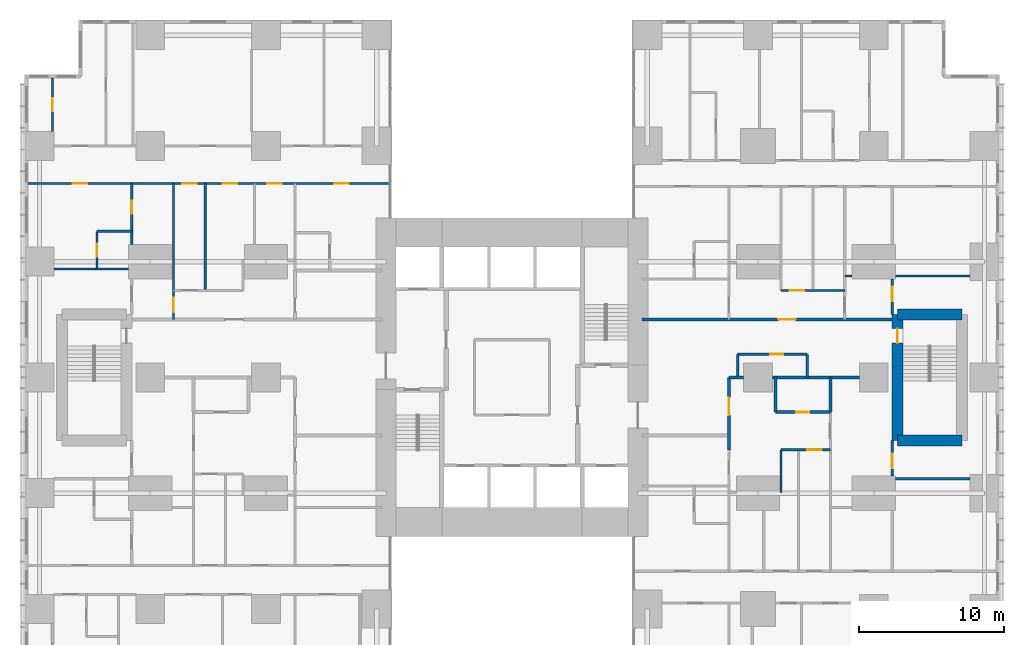
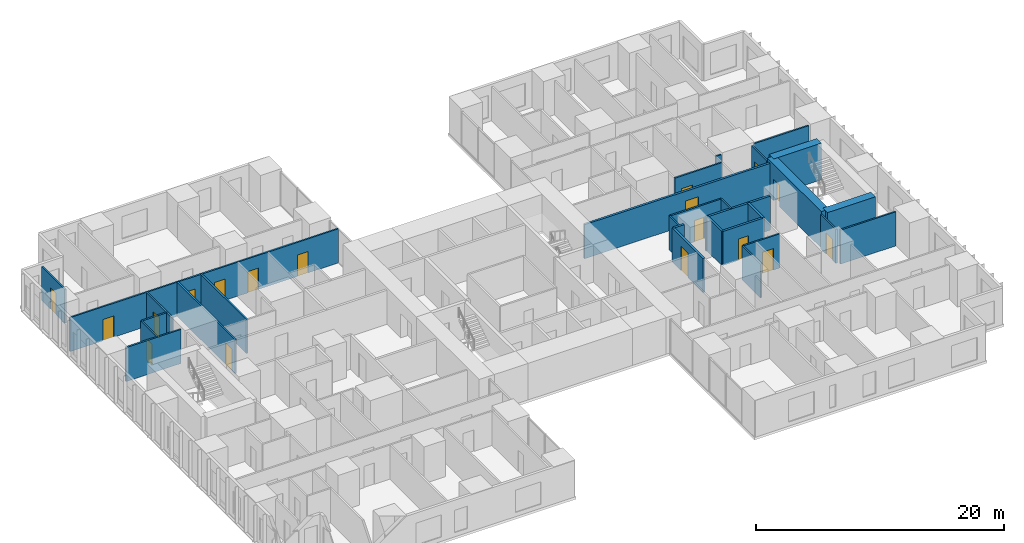
# One storey, part 16 of 20: 29 walls, 18 doors, 18 openings.
"""IFC4 building model written with IfcOpenShell, lengths in metres."""

from ifc_helpers import new_model, si_unit, direction, frame, frame_2d, origin, place, context, subcontext, project, spatial, rectangle, extrude, material, layer, layer_set, type_object, element, fill, save


model = new_model("IFC4")

# Units and contexts
model_context = context("Model", 3, precision=1e-05, world=origin(), true_north=direction((0.0, 1.0)))
body_context = subcontext(model_context, "Body", "Model", "MODEL_VIEW")
ifc_project = project(units=[si_unit("LENGTHUNIT", "METRE"), si_unit("AREAUNIT", "SQUARE_METRE"), si_unit("VOLUMEUNIT", "CUBIC_METRE"), si_unit("PLANEANGLEUNIT", "RADIAN"), si_unit("MASSUNIT", "GRAM", prefix="KILO")], contexts=[model_context])

# Site, building, storey
site_placement = place(None, origin())
site = spatial("IfcSite", under=ifc_project, at=site_placement, CompositionType="ELEMENT")
building_placement = place(site_placement, origin())
building = spatial("IfcBuilding", under=site, at=building_placement, Name="Cleftline Residences", CompositionType="ELEMENT")
storey_placement = place(building_placement, frame((0.0, 0.0, 150.199951171875)))
storey = spatial("IfcBuildingStorey", under=building, at=storey_placement, Name="L39", CompositionType="ELEMENT", Elevation=150.199951171875)

# Wall, opening, door
ifc_material_1 = material(Name="Concrete blockwork, fire rated", Category="masonry")
ifc_layer_1 = layer(ifc_material_1, 0.199951171875)
ifc_layer_set_1 = layer_set([ifc_layer_1], Name="FIRE WALL 200")
wall_type_1 = type_object("IfcWallType", Name="FIRE WALL 200", PredefinedType="PARTITIONING", material=ifc_layer_set_1)
wall_1_placement = place(storey_placement, frame((51.199951171875, 21.60009765625, 0.0), z_axis=(0.0, 0.0, 1.0), x_axis=(1.0, 0.0, 0.0)))
wall_1 = element("IfcWall", 1, at=wall_1_placement, inside=storey, type_object=wall_type_1, Name="Fire separating wall", PredefinedType="PARTITIONING", context=body_context, shape_type="SweptSolid", body=[
    extrude(rectangle(XDim=3.800048828125, YDim=0.199951171875, at=frame_2d((1.89990234375, 0.0))), origin(), (0.0, 0.0, 1.0), 3.35009765625),
])
opening_1_placement = place(wall_1_placement, frame((1.449951171875, 0.0, 0.0)))
opening_1 = element("IfcOpeningElement", 2, at=opening_1_placement, cuts=wall_1, Name="Opening D1F30", PredefinedType="OPENING", context=body_context, shape_type="SweptSolid", body=[
    extrude(rectangle(XDim=0.89990234375, YDim=2.10009765625, at=frame_2d((0.449951171875, 1.050048828125))), frame((0.0, 0.10986328125, 0.0), z_axis=(0.0, -1.0, 0.0), x_axis=(1.0, 0.0, 0.0)), (0.0, 0.0, 1.0), 0.219970703125),
])
ifc_material_2 = material(Name="Timber veneer on solid core", Category="wood")
door_type_1 = type_object("IfcDoorType", Name="DOOR 900X2100 EI 30", OperationType="SINGLE_SWING_LEFT", PredefinedType="DOOR", material=ifc_material_2)
door_1_placement = place(opening_1_placement, origin())
door_1 = element("IfcDoor", 3, at=door_1_placement, inside=storey, type_object=door_type_1, Name="Door to cloakroom wc", OperationType="SINGLE_SWING_LEFT", OverallHeight=2.10009765625, OverallWidth=0.89990234375, PredefinedType="DOOR", context=body_context, shape_type="SweptSolid", body=[
    extrude(rectangle(XDim=0.89990234375, YDim=2.10009765625, at=frame_2d((0.449951171875, 1.050048828125))), frame((0.0, 0.02490234375, 0.0), z_axis=(0.0, -1.0, 0.0), x_axis=(1.0, 0.0, 0.0)), (0.0, 0.0, 1.0), 0.050048828125),
])
fill(opening_1, door_1)

# Walls
wall_2_placement = place(storey_placement, frame((48.0, 24.0, 0.0), z_axis=(0.0, 0.0, 1.0), x_axis=(1.0, 0.0, 0.0)))
element("IfcWall", 4, at=wall_2_placement, inside=storey, type_object=wall_type_1, Name="Fire separating wall", PredefinedType="PARTITIONING", context=body_context, shape_type="SweptSolid", body=[
    extrude(rectangle(XDim=1.0, YDim=0.199951171875, at=frame_2d((0.5, 0.0))), origin(), (0.0, 0.0, 1.0), 3.35009765625),
])
wall_3_placement = place(storey_placement, frame((51.0, 24.0, 0.0), z_axis=(0.0, 0.0, 1.0), x_axis=(1.0, 0.0, 0.0)))
element("IfcWall", 5, at=wall_3_placement, inside=storey, type_object=wall_type_1, Name="Fire separating wall", PredefinedType="PARTITIONING", context=body_context, shape_type="SweptSolid", body=[
    extrude(rectangle(XDim=6.0, YDim=0.199951171875, at=frame_2d((3.0, 0.0))), origin(), (0.0, 0.0, 1.0), 3.35009765625),
])

# Wall, opening, door
wall_4_placement = place(storey_placement, frame((42.0, 28.0, 0.0), z_axis=(0.0, 0.0, 1.0), x_axis=(1.0, 0.0, 0.0)))
wall_4 = element("IfcWall", 6, at=wall_4_placement, inside=storey, type_object=wall_type_1, Name="Fire separating wall", PredefinedType="PARTITIONING", context=body_context, shape_type="SweptSolid", body=[
    extrude(rectangle(XDim=17.27490234375, YDim=0.199951171875, at=frame_2d((8.637451171875, 0.0))), origin(), (0.0, 0.0, 1.0), 3.35009765625),
])
opening_2_placement = place(wall_4_placement, frame((9.39990234375, 0.0, 0.0)))
opening_2 = element("IfcOpeningElement", 7, at=opening_2_placement, cuts=wall_4, Name="Opening D4", PredefinedType="OPENING", context=body_context, shape_type="SweptSolid", body=[
    extrude(rectangle(XDim=1.199951171875, YDim=2.39990234375, at=frame_2d((0.60009765625, 1.199951171875))), frame((0.0, 0.10986328125, 0.0), z_axis=(0.0, -1.0, 0.0), x_axis=(1.0, 0.0, 0.0)), (0.0, 0.0, 1.0), 0.219970703125),
])
ifc_material_3 = material(Name="Timber veneer on solid core", Category="wood")
door_type_2 = type_object("IfcDoorType", Name="APARTMENT ENTRANCE DOOR 1200X2400", OperationType="SINGLE_SWING_RIGHT", PredefinedType="DOOR", material=ifc_material_3)
door_2_placement = place(opening_2_placement, origin())
door_2 = element("IfcDoor", 8, at=door_2_placement, inside=storey, type_object=door_type_2, Name="Door to residence entrance (gallery)", OperationType="SINGLE_SWING_LEFT", OverallHeight=2.39990234375, OverallWidth=1.199951171875, PredefinedType="DOOR", context=body_context, shape_type="SweptSolid", body=[
    extrude(rectangle(XDim=1.199951171875, YDim=2.39990234375, at=frame_2d((0.60009765625, 1.199951171875))), frame((0.0, 0.02490234375, 0.0), z_axis=(0.0, -1.0, 0.0), x_axis=(1.0, 0.0, 0.0)), (0.0, 0.0, 1.0), 0.050048828125),
])
fill(opening_2, door_2)

wall_5_placement = place(storey_placement, frame((48.0, 19.0, 0.0), z_axis=(0.0, 0.0, 1.0), x_axis=(0.0, 1.0, 0.0)))
wall_5 = element("IfcWall", 9, at=wall_5_placement, inside=storey, type_object=wall_type_1, Name="Fire separating wall", PredefinedType="PARTITIONING", context=body_context, shape_type="SweptSolid", body=[
    extrude(rectangle(XDim=5.0, YDim=0.199951171875, at=frame_2d((2.5, 0.0))), origin(), (0.0, 0.0, 1.0), 3.35009765625),
])
opening_3_placement = place(wall_5_placement, frame((2.39990234375, 0.0, 0.0)))
opening_3 = element("IfcOpeningElement", 10, at=opening_3_placement, cuts=wall_5, Name="Opening D4", PredefinedType="OPENING", context=body_context, shape_type="SweptSolid", body=[
    extrude(rectangle(XDim=1.199951171875, YDim=2.39990234375, at=frame_2d((0.60009765625, 1.199951171875))), frame((0.0, 0.10986328125, 0.0), z_axis=(0.0, -1.0, 0.0), x_axis=(1.0, 0.0, 0.0)), (0.0, 0.0, 1.0), 0.219970703125),
])
door_3_placement = place(opening_3_placement, origin())
door_3 = element("IfcDoor", 11, at=door_3_placement, inside=storey, type_object=door_type_2, Name="Door to residence entrance foyer", OperationType="SINGLE_SWING_LEFT", OverallHeight=2.39990234375, OverallWidth=1.199951171875, PredefinedType="DOOR", context=body_context, shape_type="SweptSolid", body=[
    extrude(rectangle(XDim=1.199951171875, YDim=2.39990234375, at=frame_2d((0.60009765625, 1.199951171875))), frame((0.0, 0.02490234375, 0.0), z_axis=(0.0, -1.0, 0.0), x_axis=(1.0, 0.0, 0.0)), (0.0, 0.0, 1.0), 0.050048828125),
])
fill(opening_3, door_3)

# Walls
for number, where, z_axis, x_axis, name in (
    (12, (51.199951171875, 21.60009765625, 0.0), (0.0, 0.0, 1.0), (0.0, 1.0, 0.0), "Fire separating wall"),
    (13, (55.0, 21.60009765625, 0.0), (0.0, 0.0, 1.0), (0.0, 1.0, 0.0), "Fire separating wall"),
):
    element("IfcWall", number, at=place(storey_placement, frame(where, z_axis=z_axis, x_axis=x_axis)), inside=storey, type_object=wall_type_1, Name=name, PredefinedType="PARTITIONING", context=body_context, shape_type="SweptSolid", body=[
        extrude(rectangle(XDim=2.39990234375, YDim=0.199951171875, at=frame_2d((1.199951171875, 0.0))), origin(), (0.0, 0.0, 1.0), 3.35009765625),
    ])
ifc_material_4 = material(Name="Gypsum board on steel studs", Category="steel")
ifc_layer_2 = layer(ifc_material_4, 0.14990234375)
ifc_layer_set_2 = layer_set([ifc_layer_2], Name="PARTITION 150")
wall_type_2 = type_object("IfcWallType", Name="PARTITION 150", PredefinedType="PARTITIONING", material=ifc_layer_set_2)
wall_6_placement = place(storey_placement, frame((59.5, 17.0, 0.0), z_axis=(0.0, 0.0, 1.0), x_axis=(1.0, 0.0, 0.0)))
element("IfcWall", 14, at=wall_6_placement, inside=storey, type_object=wall_type_2, Name="Partition", PredefinedType="PARTITIONING", context=body_context, shape_type="SweptSolid", body=[
    extrude(rectangle(XDim=5.14990234375, YDim=0.14990234375, at=frame_2d((2.574951171875, 0.0))), origin(), (0.0, 0.0, 1.0), 3.35009765625),
])

# Wall, opening, door
wall_7_placement = place(storey_placement, frame((51.60009765625, 19.0, 0.0), z_axis=(0.0, 0.0, 1.0), x_axis=(1.0, 0.0, 0.0)))
wall_7 = element("IfcWall", 15, at=wall_7_placement, inside=storey, type_object=wall_type_2, Name="Partition", PredefinedType="PARTITIONING", context=body_context, shape_type="SweptSolid", body=[
    extrude(rectangle(XDim=3.39990234375, YDim=0.14990234375, at=frame_2d((1.699951171875, 0.0))), origin(), (0.0, 0.0, 1.0), 3.35009765625),
])
opening_4_placement = place(wall_7_placement, frame((1.800048828125, 0.0, 0.0)))
opening_4 = element("IfcOpeningElement", 16, at=opening_4_placement, cuts=wall_7, Name="Opening D2", PredefinedType="OPENING", context=body_context, shape_type="SweptSolid", body=[
    extrude(rectangle(XDim=1.0, YDim=2.10009765625, at=frame_2d((0.5, 1.050048828125))), frame((0.0, 0.0849609375, 0.0), z_axis=(0.0, -1.0, 0.0), x_axis=(1.0, 0.0, 0.0)), (0.0, 0.0, 1.0), 0.169921875),
])
ifc_material_5 = material(Name="Timber veneer on solid core", Category="wood")
door_type_3 = type_object("IfcDoorType", Name="DOOR 1000X2100", OperationType="SINGLE_SWING_LEFT", PredefinedType="DOOR", material=ifc_material_5)
door_4_placement = place(opening_4_placement, origin())
door_4 = element("IfcDoor", 17, at=door_4_placement, inside=storey, type_object=door_type_3, Name="Door to residence passage", OperationType="SINGLE_SWING_LEFT", OverallHeight=2.10009765625, OverallWidth=1.0, PredefinedType="DOOR", context=body_context, shape_type="SweptSolid", body=[
    extrude(rectangle(XDim=1.0, YDim=2.10009765625, at=frame_2d((0.5, 1.050048828125))), frame((0.0, 0.02490234375, 0.0), z_axis=(0.0, -1.0, 0.0), x_axis=(1.0, 0.0, 0.0)), (0.0, 0.0, 1.0), 0.050048828125),
])
fill(opening_4, door_4)

wall_8_placement = place(storey_placement, frame((48.60009765625, 25.60009765625, 0.0), z_axis=(0.0, 0.0, 1.0), x_axis=(1.0, 0.0, 0.0)))
wall_8 = element("IfcWall", 18, at=wall_8_placement, inside=storey, type_object=wall_type_2, Name="Partition", PredefinedType="PARTITIONING", context=body_context, shape_type="SweptSolid", body=[
    extrude(rectangle(XDim=4.7998046875, YDim=0.14990234375, at=frame_2d((2.39990234375, 0.0))), origin(), (0.0, 0.0, 1.0), 3.35009765625),
])
opening_5_placement = place(wall_8_placement, frame((2.25, 0.0, 0.0)))
opening_5 = element("IfcOpeningElement", 19, at=opening_5_placement, cuts=wall_8, Name="Opening D1", PredefinedType="OPENING", context=body_context, shape_type="SweptSolid", body=[
    extrude(rectangle(XDim=0.89990234375, YDim=2.10009765625, at=frame_2d((0.449951171875, 1.050048828125))), frame((0.0, 0.0849609375, 0.0), z_axis=(0.0, -1.0, 0.0), x_axis=(1.0, 0.0, 0.0)), (0.0, 0.0, 1.0), 0.169921875),
])
ifc_material_6 = material(Name="Timber veneer on solid core", Category="wood")
door_type_4 = type_object("IfcDoorType", Name="DOOR 900X2100", OperationType="SINGLE_SWING_LEFT", PredefinedType="DOOR", material=ifc_material_6)
door_5_placement = place(opening_5_placement, origin())
door_5 = element("IfcDoor", 20, at=door_5_placement, inside=storey, type_object=door_type_4, Name="Door to bulky waste room", OperationType="SINGLE_SWING_LEFT", OverallHeight=2.10009765625, OverallWidth=0.89990234375, PredefinedType="DOOR", context=body_context, shape_type="SweptSolid", body=[
    extrude(rectangle(XDim=0.89990234375, YDim=2.10009765625, at=frame_2d((0.449951171875, 1.050048828125))), frame((0.0, 0.02490234375, 0.0), z_axis=(0.0, -1.0, 0.0), x_axis=(1.0, 0.0, 0.0)), (0.0, 0.0, 1.0), 0.050048828125),
])
fill(opening_5, door_5)

wall_9_placement = place(storey_placement, frame((51.60009765625, 30.0, 0.0), z_axis=(0.0, 0.0, 1.0), x_axis=(1.0, 0.0, 0.0)))
wall_9 = element("IfcWall", 21, at=wall_9_placement, inside=storey, type_object=wall_type_2, Name="Partition", PredefinedType="PARTITIONING", context=body_context, shape_type="SweptSolid", body=[
    extrude(rectangle(XDim=4.39990234375, YDim=0.14990234375, at=frame_2d((2.199951171875, 0.0))), origin(), (0.0, 0.0, 1.0), 3.35009765625),
])
opening_6_placement = place(wall_9_placement, frame((0.60009765625, 0.0, 0.0)))
opening_6 = element("IfcOpeningElement", 22, at=opening_6_placement, cuts=wall_9, Name="Opening D2", PredefinedType="OPENING", context=body_context, shape_type="SweptSolid", body=[
    extrude(rectangle(XDim=1.0, YDim=2.10009765625, at=frame_2d((0.5, 1.050048828125))), frame((0.0, 0.0849609375, 0.0), z_axis=(0.0, -1.0, 0.0), x_axis=(1.0, 0.0, 0.0)), (0.0, 0.0, 1.0), 0.169921875),
])
door_6_placement = place(opening_6_placement, origin())
door_6 = element("IfcDoor", 23, at=door_6_placement, inside=storey, type_object=door_type_3, Name="Door to residence passage", OperationType="SINGLE_SWING_RIGHT", OverallHeight=2.10009765625, OverallWidth=1.0, PredefinedType="DOOR", context=body_context, shape_type="SweptSolid", body=[
    extrude(rectangle(XDim=1.0, YDim=2.10009765625, at=frame_2d((0.5, 1.050048828125))), frame((0.0, 0.02490234375, 0.0), z_axis=(0.0, -1.0, 0.0), x_axis=(1.0, 0.0, 0.0)), (0.0, 0.0, 1.0), 0.050048828125),
])
fill(opening_6, door_6)

# Walls
wall_10_placement = place(storey_placement, frame((56.0, 31.0, 0.0), z_axis=(0.0, 0.0, 1.0), x_axis=(1.0, 0.0, 0.0)))
element("IfcWall", 24, at=wall_10_placement, inside=storey, type_object=wall_type_2, Name="Partition", PredefinedType="PARTITIONING", context=body_context, shape_type="SweptSolid", body=[
    extrude(rectangle(XDim=0.5, YDim=0.14990234375, at=frame_2d((0.25, 0.0))), origin(), (0.0, 0.0, 1.0), 3.35009765625),
])
for number, where, z_axis, x_axis, name in (
    (25, (59.5, 31.0, 0.0), (0.0, 0.0, 1.0), (1.0, 0.0, 0.0), "Partition"),
    (26, (1.35009765625, 31.5, 0.0), (0.0, 0.0, 1.0), (1.0, 0.0, 0.0), "Partition"),
):
    element("IfcWall", number, at=place(storey_placement, frame(where, z_axis=z_axis, x_axis=x_axis)), inside=storey, type_object=wall_type_2, Name=name, PredefinedType="PARTITIONING", context=body_context, shape_type="SweptSolid", body=[
        extrude(rectangle(XDim=5.14990234375, YDim=0.14990234375, at=frame_2d((2.574951171875, 0.0))), origin(), (0.0, 0.0, 1.0), 3.35009765625),
    ])
wall_11_placement = place(storey_placement, frame((4.324951171875, 34.10009765625, 0.0), z_axis=(0.0, 0.0, 1.0), x_axis=(1.0, 0.0, 0.0)))
element("IfcWall", 27, at=wall_11_placement, inside=storey, type_object=wall_type_2, Name="Partition", PredefinedType="PARTITIONING", context=body_context, shape_type="SweptSolid", body=[
    extrude(rectangle(XDim=2.400146484375, YDim=0.14990234375, at=frame_2d((1.2001953125, 0.0))), origin(), (0.0, 0.0, 1.0), 3.35009765625),
])

# Wall, openings, doors
wall_12_placement = place(storey_placement, frame((-0.449951171875, 37.39990234375, 0.0), z_axis=(0.0, 0.0, 1.0), x_axis=(1.0, 0.0, 0.0)))
wall_12 = element("IfcWall", 28, at=wall_12_placement, inside=storey, type_object=wall_type_2, Name="Partition", PredefinedType="PARTITIONING", context=body_context, shape_type="SweptSolid", body=[
    extrude(rectangle(XDim=25.010986328125, YDim=0.14990234375, at=frame_2d((12.50537109375, 0.0))), origin(), (0.0, 0.0, 1.0), 3.35009765625),
])
opening_7_placement = place(wall_12_placement, frame((10.64990234375, 0.0, 0.0)))
opening_7 = element("IfcOpeningElement", 29, at=opening_7_placement, cuts=wall_12, Name="Opening D2", PredefinedType="OPENING", context=body_context, shape_type="SweptSolid", body=[
    extrude(rectangle(XDim=1.0, YDim=2.10009765625, at=frame_2d((0.5, 1.050048828125))), frame((0.0, 0.0849609375, 0.0), z_axis=(0.0, -1.0, 0.0), x_axis=(1.0, 0.0, 0.0)), (0.0, 0.0, 1.0), 0.169921875),
])
opening_8_placement = place(wall_12_placement, frame((3.08740234375, 0.0, 0.0)))
opening_8 = element("IfcOpeningElement", 30, at=opening_8_placement, cuts=wall_12, Name="Opening D2", PredefinedType="OPENING", context=body_context, shape_type="SweptSolid", body=[
    extrude(rectangle(XDim=1.0, YDim=2.10009765625, at=frame_2d((0.5, 1.050048828125))), frame((0.0, 0.0849609375, 0.0), z_axis=(0.0, -1.0, 0.0), x_axis=(1.0, 0.0, 0.0)), (0.0, 0.0, 1.0), 0.169921875),
])
opening_9_placement = place(wall_12_placement, frame((13.449951171875, 0.0, 0.0)))
opening_9 = element("IfcOpeningElement", 31, at=opening_9_placement, cuts=wall_12, Name="Opening D2", PredefinedType="OPENING", context=body_context, shape_type="SweptSolid", body=[
    extrude(rectangle(XDim=1.0, YDim=2.10009765625, at=frame_2d((0.5, 1.050048828125))), frame((0.0, 0.0849609375, 0.0), z_axis=(0.0, -1.0, 0.0), x_axis=(1.0, 0.0, 0.0)), (0.0, 0.0, 1.0), 0.169921875),
])
opening_10_placement = place(wall_12_placement, frame((16.550048828125, 0.0, 0.0)))
opening_10 = element("IfcOpeningElement", 32, at=opening_10_placement, cuts=wall_12, Name="Opening D2", PredefinedType="OPENING", context=body_context, shape_type="SweptSolid", body=[
    extrude(rectangle(XDim=1.0, YDim=2.10009765625, at=frame_2d((0.5, 1.050048828125))), frame((0.0, 0.0849609375, 0.0), z_axis=(0.0, -1.0, 0.0), x_axis=(1.0, 0.0, 0.0)), (0.0, 0.0, 1.0), 0.169921875),
])
opening_11_placement = place(wall_12_placement, frame((21.175048828125, 0.0, 0.0)))
opening_11 = element("IfcOpeningElement", 33, at=opening_11_placement, cuts=wall_12, Name="Opening D2", PredefinedType="OPENING", context=body_context, shape_type="SweptSolid", body=[
    extrude(rectangle(XDim=1.0, YDim=2.10009765625, at=frame_2d((0.5, 1.050048828125))), frame((0.0, 0.0849609375, 0.0), z_axis=(0.0, -1.0, 0.0), x_axis=(1.0, 0.0, 0.0)), (0.0, 0.0, 1.0), 0.169921875),
])
door_7_placement = place(opening_7_placement, origin())
door_7 = element("IfcDoor", 34, at=door_7_placement, inside=storey, type_object=door_type_3, Name="Door to residence hall", OperationType="SINGLE_SWING_RIGHT", OverallHeight=2.10009765625, OverallWidth=1.0, PredefinedType="DOOR", context=body_context, shape_type="SweptSolid", body=[
    extrude(rectangle(XDim=1.0, YDim=2.10009765625, at=frame_2d((0.5, 1.050048828125))), frame((0.0, 0.02490234375, 0.0), z_axis=(0.0, -1.0, 0.0), x_axis=(1.0, 0.0, 0.0)), (0.0, 0.0, 1.0), 0.050048828125),
])
fill(opening_7, door_7)
door_8_placement = place(opening_8_placement, origin())
door_8 = element("IfcDoor", 35, at=door_8_placement, inside=storey, type_object=door_type_3, Name="Door to master bedroom", OperationType="SINGLE_SWING_RIGHT", OverallHeight=2.10009765625, OverallWidth=1.0, PredefinedType="DOOR", context=body_context, shape_type="SweptSolid", body=[
    extrude(rectangle(XDim=1.0, YDim=2.10009765625, at=frame_2d((0.5, 1.050048828125))), frame((0.0, 0.02490234375, 0.0), z_axis=(0.0, -1.0, 0.0), x_axis=(1.0, 0.0, 0.0)), (0.0, 0.0, 1.0), 0.050048828125),
])
fill(opening_8, door_8)
door_9_placement = place(opening_9_placement, origin())
door_9 = element("IfcDoor", 36, at=door_9_placement, inside=storey, type_object=door_type_3, Name="Door to family room", OperationType="SINGLE_SWING_LEFT", OverallHeight=2.10009765625, OverallWidth=1.0, PredefinedType="DOOR", context=body_context, shape_type="SweptSolid", body=[
    extrude(rectangle(XDim=1.0, YDim=2.10009765625, at=frame_2d((0.5, 1.050048828125))), frame((0.0, 0.02490234375, 0.0), z_axis=(0.0, -1.0, 0.0), x_axis=(1.0, 0.0, 0.0)), (0.0, 0.0, 1.0), 0.050048828125),
])
fill(opening_9, door_9)
door_10_placement = place(opening_10_placement, origin())
door_10 = element("IfcDoor", 37, at=door_10_placement, inside=storey, type_object=door_type_3, Name="Door to wet kitchen", OperationType="SINGLE_SWING_LEFT", OverallHeight=2.10009765625, OverallWidth=1.0, PredefinedType="DOOR", context=body_context, shape_type="SweptSolid", body=[
    extrude(rectangle(XDim=1.0, YDim=2.10009765625, at=frame_2d((0.5, 1.050048828125))), frame((0.0, 0.02490234375, 0.0), z_axis=(0.0, -1.0, 0.0), x_axis=(1.0, 0.0, 0.0)), (0.0, 0.0, 1.0), 0.050048828125),
])
fill(opening_10, door_10)
door_11_placement = place(opening_11_placement, origin())
door_11 = element("IfcDoor", 38, at=door_11_placement, inside=storey, type_object=door_type_3, Name="Door to bedroom 3", OperationType="SINGLE_SWING_LEFT", OverallHeight=2.10009765625, OverallWidth=1.0, PredefinedType="DOOR", context=body_context, shape_type="SweptSolid", body=[
    extrude(rectangle(XDim=1.0, YDim=2.10009765625, at=frame_2d((0.5, 1.050048828125))), frame((0.0, 0.02490234375, 0.0), z_axis=(0.0, -1.0, 0.0), x_axis=(1.0, 0.0, 0.0)), (0.0, 0.0, 1.0), 0.050048828125),
])
fill(opening_11, door_11)

# Wall, opening, door
wall_13_placement = place(storey_placement, frame((1.25, 41.0, 0.0), z_axis=(0.0, 0.0, 1.0), x_axis=(0.0, 1.0, 0.0)))
wall_13 = element("IfcWall", 39, at=wall_13_placement, inside=storey, type_object=wall_type_2, Name="Partition", PredefinedType="PARTITIONING", context=body_context, shape_type="SweptSolid", body=[
    extrude(rectangle(XDim=3.699951171875, YDim=0.14990234375, at=frame_2d((1.85009765625, 0.0))), origin(), (0.0, 0.0, 1.0), 3.35009765625),
])
opening_12_placement = place(wall_13_placement, frame((1.39990234375, 0.0, 0.0)))
opening_12 = element("IfcOpeningElement", 40, at=opening_12_placement, cuts=wall_13, Name="Opening D1", PredefinedType="OPENING", context=body_context, shape_type="SweptSolid", body=[
    extrude(rectangle(XDim=0.89990234375, YDim=2.10009765625, at=frame_2d((0.449951171875, 1.050048828125))), frame((0.0, 0.0849609375, 0.0), z_axis=(0.0, -1.0, 0.0), x_axis=(1.0, 0.0, 0.0)), (0.0, 0.0, 1.0), 0.169921875),
])
door_12_placement = place(opening_12_placement, origin())
door_12 = element("IfcDoor", 41, at=door_12_placement, inside=storey, type_object=door_type_4, Name="Door to walk-in wardrobe", OperationType="SINGLE_SWING_LEFT", OverallHeight=2.10009765625, OverallWidth=0.89990234375, PredefinedType="DOOR", context=body_context, shape_type="SweptSolid", body=[
    extrude(rectangle(XDim=0.89990234375, YDim=2.10009765625, at=frame_2d((0.449951171875, 1.050048828125))), frame((0.0, 0.02490234375, 0.0), z_axis=(0.0, -1.0, 0.0), x_axis=(1.0, 0.0, 0.0)), (0.0, 0.0, 1.0), 0.050048828125),
])
fill(opening_12, door_12)

wall_14_placement = place(storey_placement, frame((4.324951171875, 31.5, 0.0), z_axis=(0.0, 0.0, 1.0), x_axis=(0.0, 1.0, 0.0)))
wall_14 = element("IfcWall", 42, at=wall_14_placement, inside=storey, type_object=wall_type_2, Name="Partition", PredefinedType="PARTITIONING", context=body_context, shape_type="SweptSolid", body=[
    extrude(rectangle(XDim=2.60009765625, YDim=0.14990234375, at=frame_2d((1.300048828125, 0.0))), origin(), (0.0, 0.0, 1.0), 3.35009765625),
])
opening_13_placement = place(wall_14_placement, frame((0.85009765625, 0.0, 0.0)))
opening_13 = element("IfcOpeningElement", 43, at=opening_13_placement, cuts=wall_14, Name="Opening D1", PredefinedType="OPENING", context=body_context, shape_type="SweptSolid", body=[
    extrude(rectangle(XDim=0.89990234375, YDim=2.10009765625, at=frame_2d((0.449951171875, 1.050048828125))), frame((0.0, 0.0849609375, 0.0), z_axis=(0.0, -1.0, 0.0), x_axis=(1.0, 0.0, 0.0)), (0.0, 0.0, 1.0), 0.169921875),
])
door_13_placement = place(opening_13_placement, origin())
door_13 = element("IfcDoor", 44, at=door_13_placement, inside=storey, type_object=door_type_4, Name="Door to master bathroom", OperationType="SINGLE_SWING_LEFT", OverallHeight=2.10009765625, OverallWidth=0.89990234375, PredefinedType="DOOR", context=body_context, shape_type="SweptSolid", body=[
    extrude(rectangle(XDim=0.89990234375, YDim=2.10009765625, at=frame_2d((0.449951171875, 1.050048828125))), frame((0.0, 0.02490234375, 0.0), z_axis=(0.0, -1.0, 0.0), x_axis=(1.0, 0.0, 0.0)), (0.0, 0.0, 1.0), 0.050048828125),
])
fill(opening_13, door_13)

wall_15_placement = place(storey_placement, frame((6.72509765625, 33.199951171875, 0.0), z_axis=(0.0, 0.0, 1.0), x_axis=(0.0, 1.0, 0.0)))
wall_15 = element("IfcWall", 45, at=wall_15_placement, inside=storey, type_object=wall_type_2, Name="Partition", PredefinedType="PARTITIONING", context=body_context, shape_type="SweptSolid", body=[
    extrude(rectangle(XDim=4.199951171875, YDim=0.14990234375, at=frame_2d((2.10009765625, 0.0))), origin(), (0.0, 0.0, 1.0), 3.35009765625),
])
opening_14_placement = place(wall_15_placement, frame((2.10009765625, 0.0, 0.0)))
opening_14 = element("IfcOpeningElement", 46, at=opening_14_placement, cuts=wall_15, Name="Opening D1", PredefinedType="OPENING", context=body_context, shape_type="SweptSolid", body=[
    extrude(rectangle(XDim=0.89990234375, YDim=2.10009765625, at=frame_2d((0.449951171875, 1.050048828125))), frame((0.0, 0.0849609375, 0.0), z_axis=(0.0, -1.0, 0.0), x_axis=(1.0, 0.0, 0.0)), (0.0, 0.0, 1.0), 0.169921875),
])
door_14_placement = place(opening_14_placement, origin())
door_14 = element("IfcDoor", 47, at=door_14_placement, inside=storey, type_object=door_type_4, Name="Door to master dressing room", OperationType="SINGLE_SWING_LEFT", OverallHeight=2.10009765625, OverallWidth=0.89990234375, PredefinedType="DOOR", context=body_context, shape_type="SweptSolid", body=[
    extrude(rectangle(XDim=0.89990234375, YDim=2.10009765625, at=frame_2d((0.449951171875, 1.050048828125))), frame((0.0, 0.02490234375, 0.0), z_axis=(0.0, -1.0, 0.0), x_axis=(1.0, 0.0, 0.0)), (0.0, 0.0, 1.0), 0.050048828125),
])
fill(opening_14, door_14)

wall_16_placement = place(storey_placement, frame((9.60009765625, 28.0, 0.0), z_axis=(0.0, 0.0, 1.0), x_axis=(0.0, 1.0, 0.0)))
wall_16 = element("IfcWall", 48, at=wall_16_placement, inside=storey, type_object=wall_type_2, Name="Partition", PredefinedType="PARTITIONING", context=body_context, shape_type="SweptSolid", body=[
    extrude(rectangle(XDim=9.39990234375, YDim=0.14990234375, at=frame_2d((4.699951171875, 0.0))), origin(), (0.0, 0.0, 1.0), 3.35009765625),
])
opening_15_placement = place(wall_16_placement, frame((0.5, 0.0, 0.0)))
opening_15 = element("IfcOpeningElement", 49, at=opening_15_placement, cuts=wall_16, Name="Opening D2F30", PredefinedType="OPENING", context=body_context, shape_type="SweptSolid", body=[
    extrude(rectangle(XDim=1.0, YDim=2.10009765625, at=frame_2d((0.5, 1.050048828125))), frame((0.0, 0.0849609375, 0.0), z_axis=(0.0, -1.0, 0.0), x_axis=(1.0, 0.0, 0.0)), (0.0, 0.0, 1.0), 0.169921875),
])
ifc_material_7 = material(Name="Timber veneer on solid core", Category="wood")
door_type_5 = type_object("IfcDoorType", Name="DOOR 1000X2100 EI 30", OperationType="SINGLE_SWING_LEFT", PredefinedType="DOOR", material=ifc_material_7)
door_15_placement = place(opening_15_placement, origin())
door_15 = element("IfcDoor", 50, at=door_15_placement, inside=storey, type_object=door_type_5, Name="Door to residence lobby", OperationType="SINGLE_SWING_RIGHT", OverallHeight=2.10009765625, OverallWidth=1.0, PredefinedType="DOOR", context=body_context, shape_type="SweptSolid", body=[
    extrude(rectangle(XDim=1.0, YDim=2.10009765625, at=frame_2d((0.5, 1.050048828125))), frame((0.0, 0.02490234375, 0.0), z_axis=(0.0, -1.0, 0.0), x_axis=(1.0, 0.0, 0.0)), (0.0, 0.0, 1.0), 0.050048828125),
])
fill(opening_15, door_15)

# Walls
wall_17_placement = place(storey_placement, frame((11.800048828125, 30.0, 0.0), z_axis=(0.0, 0.0, 1.0), x_axis=(0.0, 1.0, 0.0)))
element("IfcWall", 51, at=wall_17_placement, inside=storey, type_object=wall_type_2, Name="Partition", PredefinedType="PARTITIONING", context=body_context, shape_type="SweptSolid", body=[
    extrude(rectangle(XDim=7.39990234375, YDim=0.14990234375, at=frame_2d((3.699951171875, 0.0))), origin(), (0.0, 0.0, 1.0), 3.35009765625),
])
wall_18_placement = place(storey_placement, frame((48.60009765625, 24.0, 0.0), z_axis=(0.0, 0.0, 1.0), x_axis=(0.0, 1.0, 0.0)))
element("IfcWall", 52, at=wall_18_placement, inside=storey, type_object=wall_type_2, Name="Partition", PredefinedType="PARTITIONING", context=body_context, shape_type="SweptSolid", body=[
    extrude(rectangle(XDim=1.60009765625, YDim=0.14990234375, at=frame_2d((0.800048828125, 0.0))), origin(), (0.0, 0.0, 1.0), 3.35009765625),
])
wall_19_placement = place(storey_placement, frame((51.60009765625, 16.050048828125, 0.0), z_axis=(0.0, 0.0, 1.0), x_axis=(0.0, 1.0, 0.0)))
element("IfcWall", 53, at=wall_19_placement, inside=storey, type_object=wall_type_2, Name="Partition", PredefinedType="PARTITIONING", context=body_context, shape_type="SweptSolid", body=[
    extrude(rectangle(XDim=2.949951171875, YDim=0.14990234375, at=frame_2d((1.47509765625, 0.0))), origin(), (0.0, 0.0, 1.0), 3.35009765625),
])
wall_20_placement = place(storey_placement, frame((53.39990234375, 24.0, 0.0), z_axis=(0.0, 0.0, 1.0), x_axis=(0.0, 1.0, 0.0)))
element("IfcWall", 54, at=wall_20_placement, inside=storey, type_object=wall_type_2, Name="Partition", PredefinedType="PARTITIONING", context=body_context, shape_type="SweptSolid", body=[
    extrude(rectangle(XDim=1.60009765625, YDim=0.14990234375, at=frame_2d((0.800048828125, 0.0))), origin(), (0.0, 0.0, 1.0), 3.35009765625),
])

# Wall, opening, door
wall_21_placement = place(storey_placement, frame((59.27490234375, 17.199951171875, 0.0), z_axis=(0.0, 0.0, 1.0), x_axis=(0.0, 1.0, 0.0)))
wall_21 = element("IfcWall", 55, at=wall_21_placement, inside=storey, type_object=wall_type_2, Name="Partition", PredefinedType="PARTITIONING", context=body_context, shape_type="SweptSolid", body=[
    extrude(rectangle(XDim=2.449951171875, YDim=0.14990234375, at=frame_2d((1.22509765625, 0.0))), origin(), (0.0, 0.0, 1.0), 3.35009765625),
])
opening_16_placement = place(wall_21_placement, frame((0.53759765625, 0.0, 0.0)))
opening_16 = element("IfcOpeningElement", 56, at=opening_16_placement, cuts=wall_21, Name="Opening D2", PredefinedType="OPENING", context=body_context, shape_type="SweptSolid", body=[
    extrude(rectangle(XDim=1.0, YDim=2.10009765625, at=frame_2d((0.5, 1.050048828125))), frame((0.0, 0.0849609375, 0.0), z_axis=(0.0, -1.0, 0.0), x_axis=(1.0, 0.0, 0.0)), (0.0, 0.0, 1.0), 0.169921875),
])
door_16_placement = place(opening_16_placement, origin())
door_16 = element("IfcDoor", 57, at=door_16_placement, inside=storey, type_object=door_type_3, Name="Door to altar room", OperationType="SINGLE_SWING_RIGHT", OverallHeight=2.10009765625, OverallWidth=1.0, PredefinedType="DOOR", context=body_context, shape_type="SweptSolid", body=[
    extrude(rectangle(XDim=1.0, YDim=2.10009765625, at=frame_2d((0.5, 1.050048828125))), frame((0.0, 0.02490234375, 0.0), z_axis=(0.0, -1.0, 0.0), x_axis=(1.0, 0.0, 0.0)), (0.0, 0.0, 1.0), 0.050048828125),
])
fill(opening_16, door_16)

wall_22_placement = place(storey_placement, frame((59.27490234375, 28.35009765625, 0.0), z_axis=(0.0, 0.0, 1.0), x_axis=(0.0, 1.0, 0.0)))
wall_22 = element("IfcWall", 58, at=wall_22_placement, inside=storey, type_object=wall_type_2, Name="Partition", PredefinedType="PARTITIONING", context=body_context, shape_type="SweptSolid", body=[
    extrude(rectangle(XDim=2.449951171875, YDim=0.14990234375, at=frame_2d((1.22509765625, 0.0))), origin(), (0.0, 0.0, 1.0), 3.35009765625),
])
opening_17_placement = place(wall_22_placement, frame((0.91259765625, 0.0, 0.0)))
opening_17 = element("IfcOpeningElement", 59, at=opening_17_placement, cuts=wall_22, Name="Opening D2", PredefinedType="OPENING", context=body_context, shape_type="SweptSolid", body=[
    extrude(rectangle(XDim=1.0, YDim=2.10009765625, at=frame_2d((0.5, 1.050048828125))), frame((0.0, 0.0849609375, 0.0), z_axis=(0.0, -1.0, 0.0), x_axis=(1.0, 0.0, 0.0)), (0.0, 0.0, 1.0), 0.169921875),
])
door_17_placement = place(opening_17_placement, origin())
door_17 = element("IfcDoor", 60, at=door_17_placement, inside=storey, type_object=door_type_3, Name="Door to altar room", OperationType="SINGLE_SWING_LEFT", OverallHeight=2.10009765625, OverallWidth=1.0, PredefinedType="DOOR", context=body_context, shape_type="SweptSolid", body=[
    extrude(rectangle(XDim=1.0, YDim=2.10009765625, at=frame_2d((0.5, 1.050048828125))), frame((0.0, 0.02490234375, 0.0), z_axis=(0.0, -1.0, 0.0), x_axis=(1.0, 0.0, 0.0)), (0.0, 0.0, 1.0), 0.050048828125),
])
fill(opening_17, door_17)

# Walls
ifc_material_8 = material(Name="Concrete B70", Category="concrete")
ifc_layer_3 = layer(ifc_material_8, 0.75)
ifc_layer_set_3 = layer_set([ifc_layer_3], Name="SHEAR WALL 750")
wall_type_3 = type_object("IfcWallType", Name="SHEAR WALL 750", PredefinedType="SHEAR", material=ifc_layer_set_3)
for number, where, z_axis, x_axis, name in (
    (61, (59.64990234375, 19.64990234375, 0.0), (0.0, 0.0, 1.0), (1.0, 0.0, 0.0), "Wing shear wall"),
    (62, (64.10009765625, 28.35009765625, 0.0), (0.0, 0.0, 1.0), (-1.0, 0.0, 0.0), "Wing shear wall"),
):
    element("IfcWall", number, at=place(storey_placement, frame(where, z_axis=z_axis, x_axis=x_axis)), inside=storey, type_object=wall_type_3, Name=name, PredefinedType="SHEAR", context=body_context, shape_type="SweptSolid", body=[
        extrude(rectangle(XDim=4.4501953125, YDim=0.75, at=frame_2d((2.22509765625, 0.0))), origin(), (0.0, 0.0, 1.0), 3.60009765625),
    ])

# Wall, opening, door
wall_23_placement = place(storey_placement, frame((59.64990234375, 28.35009765625, 0.0), z_axis=(0.0, 0.0, 1.0), x_axis=(0.0, -1.0, 0.0)))
wall_23 = element("IfcWall", 63, at=wall_23_placement, inside=storey, type_object=wall_type_3, Name="Wing shear wall", PredefinedType="SHEAR", context=body_context, shape_type="SweptSolid", body=[
    extrude(rectangle(XDim=8.7001953125, YDim=0.75, at=frame_2d((4.35009765625, 0.0))), origin(), (0.0, 0.0, 1.0), 3.60009765625),
])
opening_18_placement = place(wall_23_placement, frame((0.97509765625, 0.0, 0.0)))
opening_18 = element("IfcOpeningElement", 64, at=opening_18_placement, cuts=wall_23, Name="Opening D5", PredefinedType="OPENING", context=body_context, shape_type="SweptSolid", body=[
    extrude(rectangle(XDim=1.0, YDim=2.10009765625, at=frame_2d((0.5, 1.050048828125))), frame((0.0, 0.385009765625, 0.0), z_axis=(0.0, -1.0, 0.0), x_axis=(1.0, 0.0, 0.0)), (0.0, 0.0, 1.0), 0.77001953125),
])
ifc_material_9 = material(Name="Steel", Category="steel")
door_type_6 = type_object("IfcDoorType", Name="STAIR DOOR 1000X2100", OperationType="SINGLE_SWING_LEFT", PredefinedType="DOOR", material=ifc_material_9)
door_18_placement = place(opening_18_placement, origin())
door_18 = element("IfcDoor", 65, at=door_18_placement, inside=storey, type_object=door_type_6, Name="Stair E door", OperationType="SINGLE_SWING_RIGHT", OverallHeight=2.10009765625, OverallWidth=1.0, PredefinedType="DOOR", context=body_context, shape_type="SweptSolid", body=[
    extrude(rectangle(XDim=1.0, YDim=2.10009765625, at=frame_2d((0.5, 1.050048828125))), frame((0.0, 0.02490234375, 0.0), z_axis=(0.0, -1.0, 0.0), x_axis=(1.0, 0.0, 0.0)), (0.0, 0.0, 1.0), 0.050048828125),
])
fill(opening_18, door_18)

save(model, "model.ifc")
